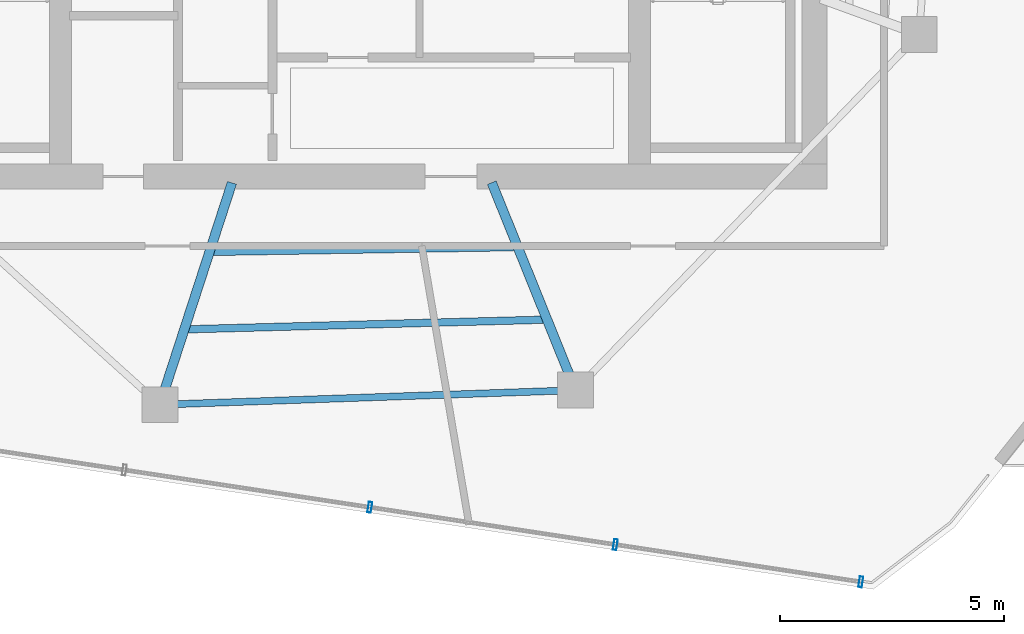
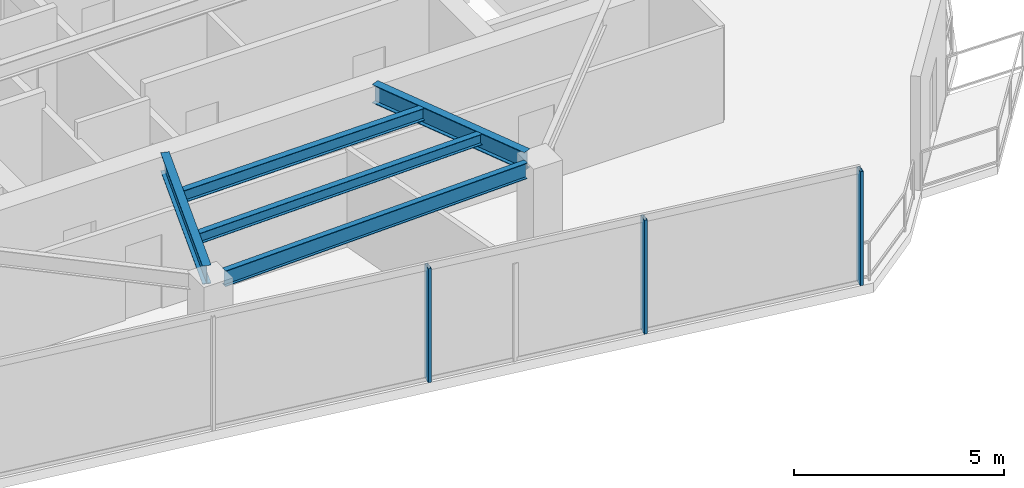
# One storey, part 4 of 19: 5 beams, 3 members, 1 element without a shape of its own.
"""IFC4 building model written with IfcOpenShell, lengths in metres."""

from ifc_helpers import new_model, si_unit, direction, frame, origin, origin_2d, place, context, subcontext, project, spatial, hollow_rectangle, i_section, extrude, material, layer, layer_set, material_profile, profile_set, type_object, element, aggregate, save


model = new_model("IFC4")

# Units and contexts
model_context = context("Model", 3, precision=1e-05, world=origin(), true_north=direction((0.0, 1.0)))
body_context = subcontext(model_context, "Body", "Model", "MODEL_VIEW")
ifc_project = project(units=[si_unit("LENGTHUNIT", "METRE"), si_unit("AREAUNIT", "SQUARE_METRE"), si_unit("VOLUMEUNIT", "CUBIC_METRE"), si_unit("PLANEANGLEUNIT", "RADIAN"), si_unit("MASSUNIT", "GRAM", prefix="KILO")], contexts=[model_context])

# Site, building, storey
site_placement = place(None, origin())
site = spatial("IfcSite", under=ifc_project, at=site_placement, CompositionType="ELEMENT")
building_placement = place(site_placement, origin())
building = spatial("IfcBuilding", under=site, at=building_placement, Name="Qarnah Convention Tower", CompositionType="ELEMENT")
storey_placement = place(building_placement, frame((0.0, 0.0, 260.699951171875)))
storey = spatial("IfcBuildingStorey", under=building, at=storey_placement, Name="L70", CompositionType="ELEMENT", Elevation=260.699951171875)

# Beams
ifc_material_1 = material(Name="Structural steel S355JR", Category="steel")
ifc_material_profile_1 = material_profile(ifc_material_1, i_section(OverallWidth=0.166015625, OverallDepth=0.31201171875, WebThickness=0.007080078125, FlangeThickness=0.010986328125, at=origin_2d()), Name="W310X45")
ifc_profile_set_1 = profile_set([ifc_material_profile_1], Name="Structural steel S355JR")
beam_type_1 = type_object("IfcBeamType", Name="BM-JST-W310", PredefinedType="JOIST", material=ifc_profile_set_1)
beam_1_placement = place(storey_placement, frame((33.64794921875, 15.194091796875, 3.1640625), z_axis=(0.999637377736, 0.026927922937, 0.0), x_axis=(-0.026927922937, 0.999637377736, 0.0)))
element("IfcBeam", 1, at=beam_1_placement, inside=storey, type_object=beam_type_1, Name="L70 joist BM-L70-SJST-07", PredefinedType="JOIST", context=body_context, shape_type="SweptSolid", body=[
    extrude(i_section(OverallWidth=0.166015625, OverallDepth=0.31201171875, WebThickness=0.007080078125, FlangeThickness=0.010986328125, at=origin_2d()), origin(), (0.0, 0.0, 1.0), 7.906005859375),
])
ifc_material_profile_2 = material_profile(ifc_material_1, i_section(OverallWidth=0.172119140625, OverallDepth=0.35595703125, WebThickness=0.007080078125, FlangeThickness=0.011962890625, at=origin_2d()), Name="W360X51")
ifc_profile_set_2 = profile_set([ifc_material_profile_2], Name="Structural steel S355JR")
beam_type_2 = type_object("IfcBeamType", Name="BM-JST-W360", PredefinedType="JOIST", material=ifc_profile_set_2)
beam_2_placement = place(storey_placement, frame((34.2109375, 16.922119140625, 3.14208984375), z_axis=(0.99987675497, 0.015699518171, 0.0), x_axis=(-0.015699518171, 0.99987675497, 0.0)))
element("IfcBeam", 2, at=beam_2_placement, inside=storey, type_object=beam_type_2, Name="L70 joist BM-L70-IJST-07", PredefinedType="JOIST", context=body_context, shape_type="SweptSolid", body=[
    extrude(i_section(OverallWidth=0.172119140625, OverallDepth=0.35595703125, WebThickness=0.007080078125, FlangeThickness=0.011962890625, at=origin_2d()), origin(), (0.0, 0.0, 1.0), 6.686767578125),
])
ifc_material_profile_3 = material_profile(ifc_material_1, i_section(OverallWidth=0.2119140625, OverallDepth=0.5400390625, WebThickness=0.011962890625, FlangeThickness=0.01904296875, at=origin_2d()), Name="W530X109")
ifc_profile_set_3 = profile_set([ifc_material_profile_3], Name="Structural steel S355JR")
beam_type_3 = type_object("IfcBeamType", Name="BM-RAD-W530A", PredefinedType="BEAM", material=ifc_profile_set_3)
beam_3_placement = place(storey_placement, frame((34.6201171875, 18.45703125, 3.050048828125), z_axis=(-0.309228111383, -0.950987894313, 0.0), x_axis=(0.950987894313, -0.309228111383, 0.0)))
element("IfcBeam", 3, at=beam_3_placement, inside=storey, type_object=beam_type_3, Name="L70 beam BM-L70-RAD-07", PredefinedType="BEAM", context=body_context, shape_type="SweptSolid", body=[
    extrude(i_section(OverallWidth=0.2119140625, OverallDepth=0.5400390625, WebThickness=0.011962890625, FlangeThickness=0.01904296875, at=origin_2d()), origin(), (0.0, 0.0, 1.0), 4.819091796875),
])
beam_4_placement = place(storey_placement, frame((40.407958984375, 18.4609375, 3.050048828125), z_axis=(0.374622495532, -0.927177429536, 0.0), x_axis=(0.927177429536, 0.374622495532, 0.0)))
element("IfcBeam", 4, at=beam_4_placement, inside=storey, type_object=beam_type_3, Name="L70 beam BM-L70-RAD-08", PredefinedType="BEAM", context=body_context, shape_type="SweptSolid", body=[
    extrude(i_section(OverallWidth=0.2119140625, OverallDepth=0.5400390625, WebThickness=0.011962890625, FlangeThickness=0.01904296875, at=origin_2d()), origin(), (0.0, 0.0, 1.0), 4.607421875),
])
ifc_material_profile_4 = material_profile(ifc_material_1, i_section(OverallWidth=0.154052734375, OverallDepth=0.4599609375, WebThickness=0.009033203125, FlangeThickness=0.014892578125, at=origin_2d()), Name="W460X68")
ifc_profile_set_4 = profile_set([ifc_material_profile_4], Name="Structural steel S355JR")
beam_type_4 = type_object("IfcBeamType", Name="BM-SPN-W460B", PredefinedType="SPANDREL", material=ifc_profile_set_4)
beam_5_placement = place(storey_placement, frame((33.403076171875, 13.527099609375, 3.090087890625), z_axis=(0.999392187652, 0.034860511467, 0.0), x_axis=(-0.034860511467, 0.999392187652, 0.0)))
element("IfcBeam", 5, at=beam_5_placement, inside=storey, type_object=beam_type_4, Name="L70 spandrel BM-L70-SPN-07", PredefinedType="SPANDREL", context=body_context, shape_type="SweptSolid", body=[
    extrude(i_section(OverallWidth=0.154052734375, OverallDepth=0.4599609375, WebThickness=0.009033203125, FlangeThickness=0.014892578125, at=origin_2d()), origin(), (0.0, 0.0, 1.0), 8.488037109375),
])

# Curtain wall, members
ifc_material_2 = material(Name="Tempered Low-E dark glass", Category="glass")
ifc_layer = layer(ifc_material_2, 0.176025390625)
ifc_layer_set = layer_set([ifc_layer], Name="Tempered Low-E dark glass")
curtain_wall_type = type_object("IfcCurtainWallType", Name="CWS-05", PredefinedType="NOTDEFINED", material=ifc_layer_set)
curtain_wall_placement = place(storey_placement, origin())
curtain_wall = element("IfcCurtainWall", 6, at=curtain_wall_placement, inside=storey, type_object=curtain_wall_type, Name="L70 unitised curtain wall CW-L70-F1", PredefinedType="NOTDEFINED")
ifc_material_3 = material(Name="Black anodised aluminium", Category="aluminium")
ifc_material_profile_5 = material_profile(ifc_material_3, hollow_rectangle(XDim=0.080078125, YDim=0.239990234375, WallThickness=0.0048828125, at=origin_2d()), Name="MUL-80X240")
ifc_profile_set_5 = profile_set([ifc_material_profile_5], Name="Black anodised aluminium")
member_type = type_object("IfcMemberType", Name="MUL-T5", PredefinedType="MULLION", material=ifc_profile_set_5)
member_1_placement = place(storey_placement, frame((48.632080078125, 9.56494140625, 0.0), z_axis=(0.0, 0.0, 1.0), x_axis=(-0.988650022064, 0.150236925796, 0.0)))
member_1 = element("IfcMember", 7, at=member_1_placement, type_object=member_type, Name="CW-L70-F1 mullion 1", PredefinedType="MULLION", context=body_context, shape_type="SweptSolid", body=[
    extrude(hollow_rectangle(XDim=0.080078125, YDim=0.239990234375, WallThickness=0.0048828125, at=origin_2d()), origin(), (0.0, 0.0, 1.0), 3.320068359375),
])
member_2_placement = place(storey_placement, frame((43.162109375, 10.396240234375, 0.0), z_axis=(0.0, 0.0, 1.0), x_axis=(-0.988650022064, 0.150236925796, 0.0)))
member_2 = element("IfcMember", 8, at=member_2_placement, type_object=member_type, Name="CW-L70-F1 mullion 2", PredefinedType="MULLION", context=body_context, shape_type="SweptSolid", body=[
    extrude(hollow_rectangle(XDim=0.080078125, YDim=0.239990234375, WallThickness=0.0048828125, at=origin_2d()), origin(), (0.0, 0.0, 1.0), 3.320068359375),
])
member_3_placement = place(storey_placement, frame((37.6923828125, 11.227294921875, 0.0), z_axis=(0.0, 0.0, 1.0), x_axis=(-0.988650022064, 0.150236925796, 0.0)))
member_3 = element("IfcMember", 9, at=member_3_placement, type_object=member_type, Name="CW-L70-F1 mullion 3", PredefinedType="MULLION", context=body_context, shape_type="SweptSolid", body=[
    extrude(hollow_rectangle(XDim=0.080078125, YDim=0.239990234375, WallThickness=0.0048828125, at=origin_2d()), origin(), (0.0, 0.0, 1.0), 3.320068359375),
])
aggregate(curtain_wall, [member_1, member_2, member_3])

save(model, "model.ifc")
